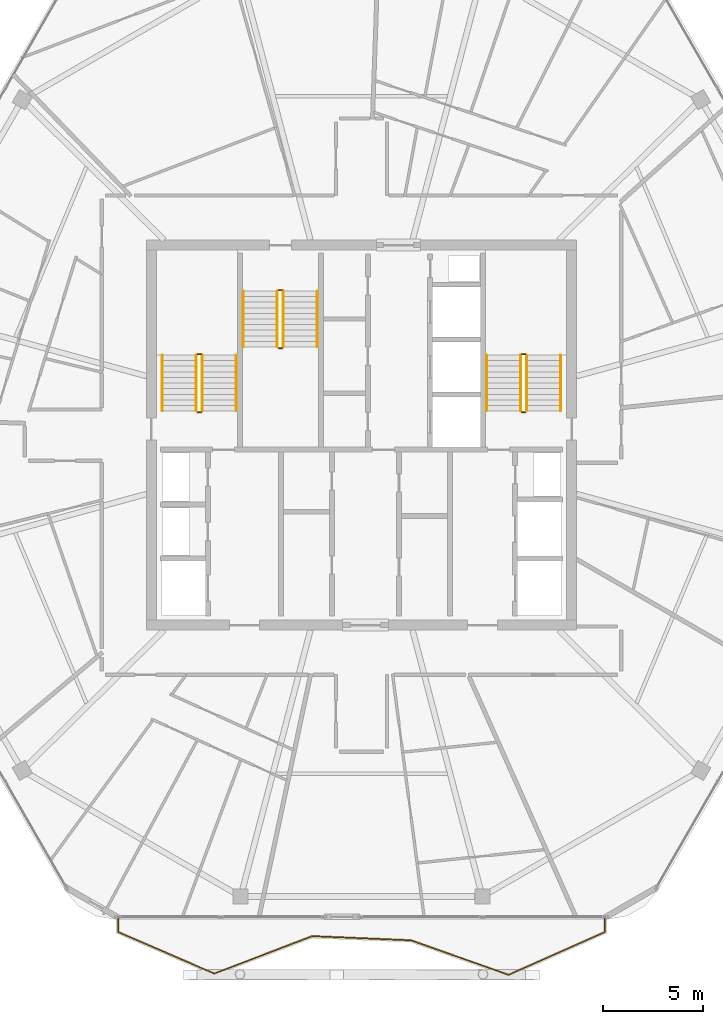
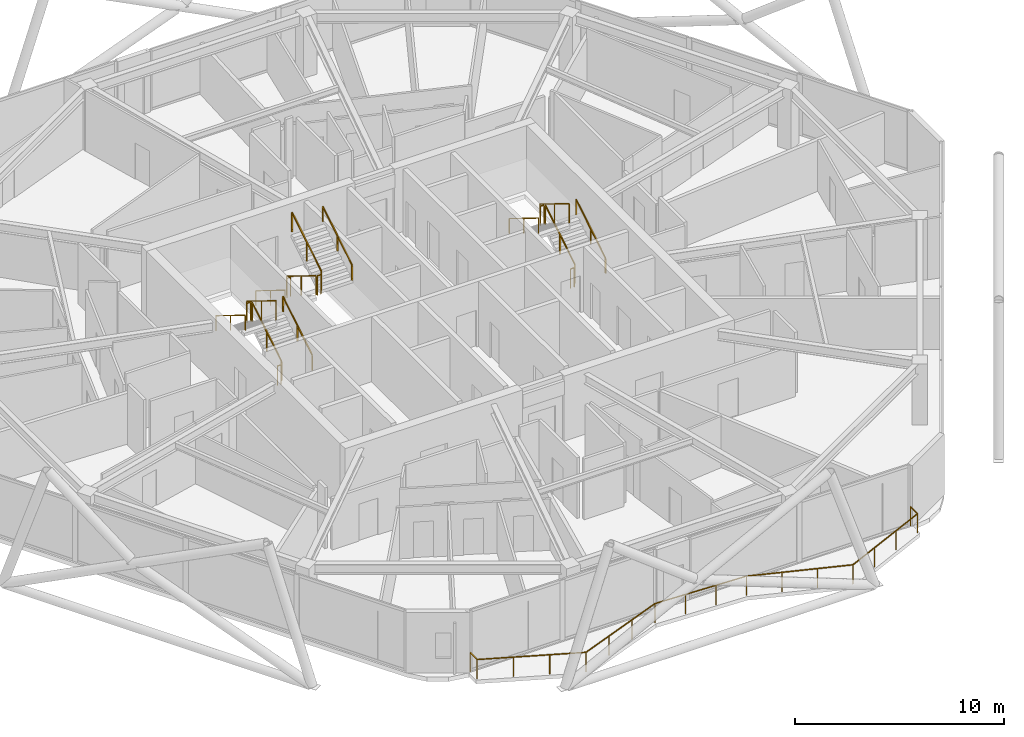
# One storey, part 22 of 23: 19 railings.
"""IFC4 building model written with IfcOpenShell, lengths in metres."""

from ifc_helpers import new_model, si_unit, direction, frame, origin, origin_2d, place, context, subcontext, project, spatial, rectangle, extrude, material, type_object, element, save


model = new_model("IFC4")

# Units and contexts
model_context = context("Model", 3, precision=1e-05, world=origin(), true_north=direction((0.0, 1.0)))
body_context = subcontext(model_context, "Body", "Model", "MODEL_VIEW")
ifc_project = project(units=[si_unit("LENGTHUNIT", "METRE"), si_unit("AREAUNIT", "SQUARE_METRE"), si_unit("VOLUMEUNIT", "CUBIC_METRE"), si_unit("PLANEANGLEUNIT", "RADIAN"), si_unit("MASSUNIT", "GRAM", prefix="KILO")], contexts=[model_context])

# Site, building, storey
site_placement = place(None, origin())
site = spatial("IfcSite", under=ifc_project, at=site_placement, CompositionType="ELEMENT")
building_placement = place(site_placement, origin())
building = spatial("IfcBuilding", under=site, at=building_placement, Name="Zuhravey Tower", CompositionType="ELEMENT")
storey_placement = place(building_placement, frame((0.0, 0.0, 346.199951171875)))
storey = spatial("IfcBuildingStorey", under=building, at=storey_placement, Name="L88", CompositionType="ELEMENT", Elevation=346.199951171875)

# Railings
ifc_material_1 = material(Name="Stainless steel 316 and laminated glass", Category="steel")
railing_type_1 = type_object("IfcRailingType", Name="Balcony & Terrace Guardrail 1150", PredefinedType="BALUSTRADE", material=ifc_material_1)
railing_1_placement = place(storey_placement, frame((48.168212890625, 7.8408203125, 0.0)))
element("IfcRailing", 1, at=railing_1_placement, inside=storey, type_object=railing_type_1, Name="L88 Face 5 Wave Balcony Guardrail GR1", PredefinedType="BALUSTRADE", context=body_context, shape_type="SweptSolid", body=[
    extrude(rectangle(XDim=0.048095703125, YDim=0.048095703125, at=origin_2d()), frame((0.0, -0.001953125, 1.1259765625), z_axis=(0.0, -1.0, 0.0), x_axis=(1.0, 0.0, 0.0)), (0.0, 0.0, 1.0), 0.671142578125),
    extrude(rectangle(XDim=0.048095703125, YDim=0.048095703125, at=origin_2d()), frame((-0.001708984375, -0.67578125, 1.1259765625), z_axis=(-0.9133657059, -0.407140132247, 0.0), x_axis=(0.407140132247, -0.9133657059, 0.0)), (0.0, 0.0, 1.0), 5.263916015625),
    extrude(rectangle(XDim=0.048095703125, YDim=0.048095703125, at=origin_2d()), frame((-4.8134765625, -2.819091796875, 1.1259765625), z_axis=(-0.942801369232, 0.333355033222, 0.0), x_axis=(-0.333355033222, -0.942801369232, 0.0)), (0.0, 0.0, 1.0), 5.176025390625),
    extrude(rectangle(XDim=0.048095703125, YDim=0.048095703125, at=origin_2d()), frame((-9.697265625, -1.093017578125, 1.1259765625), z_axis=(-0.999138452751, 0.041501231726, 0.0), x_axis=(-0.041501231726, -0.999138452751, 0.0)), (0.0, 0.0, 1.0), 4.943359375),
    extrude(rectangle(XDim=0.048095703125, YDim=0.048095703125, at=origin_2d()), frame((-14.640380859375, -0.888427734375, 1.1259765625), z_axis=(-0.933987290088, -0.357306229939, 0.0), x_axis=(0.357306229939, -0.933987290088, 0.0)), (0.0, 0.0, 1.0), 5.22998046875),
    extrude(rectangle(XDim=0.048095703125, YDim=0.048095703125, at=origin_2d()), frame((-19.52880859375, -2.757080078125, 1.1259765625), z_axis=(-0.917600934483, 0.397502861669, 0.0), x_axis=(-0.397502861669, -0.917600934483, 0.0)), (0.0, 0.0, 1.0), 5.237548828125),
    extrude(rectangle(XDim=0.048095703125, YDim=0.048095703125, at=origin_2d()), frame((-24.33642578125, -0.67236328125, 1.1259765625), z_axis=(0.0, 1.0, 0.0), x_axis=(-1.0, 0.0, 0.0)), (0.0, 0.0, 1.0), 0.67041015625),
    extrude(rectangle(XDim=0.0419921875, YDim=0.0419921875, at=origin_2d()), origin(), (0.0, 0.0, 1.0), 1.099853515625),
    extrude(rectangle(XDim=0.0419921875, YDim=0.0419921875, at=origin_2d()), frame((0.0, -0.675048828125, 0.0)), (0.0, 0.0, 1.0), 1.099853515625),
    extrude(rectangle(XDim=0.0419921875, YDim=0.0419921875, at=origin_2d()), frame((-1.603759765625, -1.389892578125, 0.0)), (0.0, 0.0, 1.0), 1.099853515625),
    extrude(rectangle(XDim=0.0419921875, YDim=0.0419921875, at=origin_2d()), frame((-3.207763671875, -2.10498046875, 0.0)), (0.0, 0.0, 1.0), 1.099853515625),
    extrude(rectangle(XDim=0.0419921875, YDim=0.0419921875, at=origin_2d()), frame((-4.8115234375, -2.81982421875, 0.0)), (0.0, 0.0, 1.0), 1.099853515625),
    extrude(rectangle(XDim=0.0419921875, YDim=0.0419921875, at=origin_2d()), frame((-6.439453125, -2.244140625, 0.0)), (0.0, 0.0, 1.0), 1.099853515625),
    extrude(rectangle(XDim=0.0419921875, YDim=0.0419921875, at=origin_2d()), frame((-8.0673828125, -1.668701171875, 0.0)), (0.0, 0.0, 1.0), 1.099853515625),
    extrude(rectangle(XDim=0.0419921875, YDim=0.0419921875, at=origin_2d()), frame((-9.6953125, -1.093017578125, 0.0)), (0.0, 0.0, 1.0), 1.099853515625),
    extrude(rectangle(XDim=0.0419921875, YDim=0.0419921875, at=origin_2d()), frame((-11.343017578125, -1.024658203125, 0.0)), (0.0, 0.0, 1.0), 1.099853515625),
    extrude(rectangle(XDim=0.0419921875, YDim=0.0419921875, at=origin_2d()), frame((-12.99072265625, -0.9560546875, 0.0)), (0.0, 0.0, 1.0), 1.099853515625),
    extrude(rectangle(XDim=0.0419921875, YDim=0.0419921875, at=origin_2d()), frame((-14.638427734375, -0.8876953125, 0.0)), (0.0, 0.0, 1.0), 1.099853515625),
    extrude(rectangle(XDim=0.0419921875, YDim=0.0419921875, at=origin_2d()), frame((-16.267822265625, -1.510986328125, 0.0)), (0.0, 0.0, 1.0), 1.099853515625),
    extrude(rectangle(XDim=0.0419921875, YDim=0.0419921875, at=origin_2d()), frame((-17.8974609375, -2.134521484375, 0.0)), (0.0, 0.0, 1.0), 1.099853515625),
    extrude(rectangle(XDim=0.0419921875, YDim=0.0419921875, at=origin_2d()), frame((-19.52685546875, -2.7578125, 0.0)), (0.0, 0.0, 1.0), 1.099853515625),
    extrude(rectangle(XDim=0.0419921875, YDim=0.0419921875, at=origin_2d()), frame((-21.130126953125, -2.063232421875, 0.0)), (0.0, 0.0, 1.0), 1.099853515625),
    extrude(rectangle(XDim=0.0419921875, YDim=0.0419921875, at=origin_2d()), frame((-22.733154296875, -1.368896484375, 0.0)), (0.0, 0.0, 1.0), 1.099853515625),
    extrude(rectangle(XDim=0.0419921875, YDim=0.0419921875, at=origin_2d()), frame((-24.33642578125, -0.67431640625, 0.0)), (0.0, 0.0, 1.0), 1.099853515625),
    extrude(rectangle(XDim=0.0419921875, YDim=0.0419921875, at=origin_2d()), frame((-24.33642578125, 0.0, 0.0)), (0.0, 0.0, 1.0), 1.099853515625),
])
ifc_material_2 = material(Name="Brushed stainless steel", Category="steel")
railing_type_2 = type_object("IfcRailingType", Name="Stair Wall Handrail 900", PredefinedType="HANDRAIL", material=ifc_material_2)
railing_2_placement = place(storey_placement, frame((29.75, 33.199951171875, 0.1728515625)))
element("IfcRailing", 2, at=railing_2_placement, inside=storey, type_object=railing_type_2, Name="L88 ST1 stair handrail 1", PredefinedType="HANDRAIL", context=body_context, shape_type="SweptSolid", body=[
    extrude(rectangle(XDim=0.048095703125, YDim=0.048095703125, at=origin_2d()), frame((0.0, 0.001708984375, 0.876953125), z_axis=(0.0, 0.851089632645, 0.525020415988), x_axis=(-1.0, 0.0, 0.0)), (0.0, 0.0, 1.0), 3.285888671875),
    extrude(rectangle(XDim=0.0419921875, YDim=0.0419921875, at=origin_2d()), origin(), (0.0, 0.0, 1.0), 0.849853515625),
    extrude(rectangle(XDim=0.0419921875, YDim=0.0419921875, at=origin_2d()), frame((0.0, 1.39990234375, 0.86376953125)), (0.0, 0.0, 1.0), 0.849853515625),
    extrude(rectangle(XDim=0.0419921875, YDim=0.0419921875, at=origin_2d()), frame((0.0, 2.800048828125, 1.727294921875)), (0.0, 0.0, 1.0), 0.849853515625),
])
railing_3_placement = place(storey_placement, frame((26.050048828125, 36.0, 2.07275390625)))
element("IfcRailing", 3, at=railing_3_placement, inside=storey, type_object=railing_type_2, Name="L88 ST1 stair handrail 2", PredefinedType="HANDRAIL", context=body_context, shape_type="SweptSolid", body=[
    extrude(rectangle(XDim=0.048095703125, YDim=0.048095703125, at=origin_2d()), frame((0.0, -0.001708984375, 0.876953125), z_axis=(0.0, -0.851089632645, 0.525020415988), x_axis=(1.0, 0.0, 0.0)), (0.0, 0.0, 1.0), 3.285888671875),
    extrude(rectangle(XDim=0.0419921875, YDim=0.0419921875, at=origin_2d()), origin(), (0.0, 0.0, 1.0), 0.849853515625),
    extrude(rectangle(XDim=0.0419921875, YDim=0.0419921875, at=origin_2d()), frame((0.0, -1.39990234375, 0.86376953125)), (0.0, 0.0, 1.0), 0.849853515625),
    extrude(rectangle(XDim=0.0419921875, YDim=0.0419921875, at=origin_2d()), frame((0.0, -2.800048828125, 1.727294921875)), (0.0, 0.0, 1.0), 0.849853515625),
])
railing_4_placement = place(storey_placement, frame((45.949951171875, 33.199951171875, 0.1728515625)))
element("IfcRailing", 4, at=railing_4_placement, inside=storey, type_object=railing_type_2, Name="L88 ST2 stair handrail 1", PredefinedType="HANDRAIL", context=body_context, shape_type="SweptSolid", body=[
    extrude(rectangle(XDim=0.048095703125, YDim=0.048095703125, at=origin_2d()), frame((0.0, 0.001708984375, 0.876953125), z_axis=(0.0, 0.851089632645, 0.525020415988), x_axis=(-1.0, 0.0, 0.0)), (0.0, 0.0, 1.0), 3.285888671875),
    extrude(rectangle(XDim=0.0419921875, YDim=0.0419921875, at=origin_2d()), origin(), (0.0, 0.0, 1.0), 0.849853515625),
    extrude(rectangle(XDim=0.0419921875, YDim=0.0419921875, at=origin_2d()), frame((0.0, 1.39990234375, 0.86376953125)), (0.0, 0.0, 1.0), 0.849853515625),
    extrude(rectangle(XDim=0.0419921875, YDim=0.0419921875, at=origin_2d()), frame((0.0, 2.800048828125, 1.727294921875)), (0.0, 0.0, 1.0), 0.849853515625),
])
for number, where, name in (
    (5, (42.25, 36.0, 2.07275390625), "L88 ST2 stair handrail 2"),
    (6, (30.10009765625, 39.199951171875, 0.1728515625), "L88 ST3 stair handrail 1"),
):
    element("IfcRailing", number, at=place(storey_placement, frame(where)), inside=storey, type_object=railing_type_2, Name=name, PredefinedType="HANDRAIL", context=body_context, shape_type="SweptSolid", body=[
        extrude(rectangle(XDim=0.048095703125, YDim=0.048095703125, at=origin_2d()), frame((0.0, -0.001708984375, 0.876953125), z_axis=(0.0, -0.851089632645, 0.525020415988), x_axis=(1.0, 0.0, 0.0)), (0.0, 0.0, 1.0), 3.285888671875),
        extrude(rectangle(XDim=0.0419921875, YDim=0.0419921875, at=origin_2d()), origin(), (0.0, 0.0, 1.0), 0.849853515625),
        extrude(rectangle(XDim=0.0419921875, YDim=0.0419921875, at=origin_2d()), frame((0.0, -1.39990234375, 0.86376953125)), (0.0, 0.0, 1.0), 0.849853515625),
        extrude(rectangle(XDim=0.0419921875, YDim=0.0419921875, at=origin_2d()), frame((0.0, -2.800048828125, 1.727294921875)), (0.0, 0.0, 1.0), 0.849853515625),
    ])
railing_5_placement = place(storey_placement, frame((33.800048828125, 36.39990234375, 2.07275390625)))
element("IfcRailing", 7, at=railing_5_placement, inside=storey, type_object=railing_type_2, Name="L88 ST3 stair handrail 2", PredefinedType="HANDRAIL", context=body_context, shape_type="SweptSolid", body=[
    extrude(rectangle(XDim=0.048095703125, YDim=0.048095703125, at=origin_2d()), frame((0.0, 0.001708984375, 0.876953125), z_axis=(0.0, 0.851089632645, 0.525020415988), x_axis=(-1.0, 0.0, 0.0)), (0.0, 0.0, 1.0), 3.285888671875),
    extrude(rectangle(XDim=0.0419921875, YDim=0.0419921875, at=origin_2d()), origin(), (0.0, 0.0, 1.0), 0.849853515625),
    extrude(rectangle(XDim=0.0419921875, YDim=0.0419921875, at=origin_2d()), frame((0.0, 1.39990234375, 0.86376953125)), (0.0, 0.0, 1.0), 0.849853515625),
    extrude(rectangle(XDim=0.0419921875, YDim=0.0419921875, at=origin_2d()), frame((0.0, 2.800048828125, 1.727294921875)), (0.0, 0.0, 1.0), 0.849853515625),
])
ifc_material_3 = material(Name="Painted tubular steel", Category="steel")
railing_type_3 = type_object("IfcRailingType", Name="Stair Well Guardrail 1150", PredefinedType="GUARDRAIL", material=ifc_material_3)
railing_6_placement = place(storey_placement, frame((28.050048828125, 33.199951171875, 0.1728515625)))
element("IfcRailing", 8, at=railing_6_placement, inside=storey, type_object=railing_type_3, Name="L88 ST1 stair guard 1", PredefinedType="GUARDRAIL", context=body_context, shape_type="SweptSolid", body=[
    extrude(rectangle(XDim=0.048095703125, YDim=0.048095703125, at=origin_2d()), frame((0.0, 0.001708984375, 1.126953125), z_axis=(0.0, 0.851089632645, 0.525020415988), x_axis=(-1.0, 0.0, 0.0)), (0.0, 0.0, 1.0), 3.285888671875),
    extrude(rectangle(XDim=0.0419921875, YDim=0.0419921875, at=origin_2d()), origin(), (0.0, 0.0, 1.0), 1.099853515625),
    extrude(rectangle(XDim=0.0419921875, YDim=0.0419921875, at=origin_2d()), frame((0.0, 1.39990234375, 0.86376953125)), (0.0, 0.0, 1.0), 1.099853515625),
    extrude(rectangle(XDim=0.0419921875, YDim=0.0419921875, at=origin_2d()), frame((0.0, 2.800048828125, 1.727294921875)), (0.0, 0.0, 1.0), 1.099853515625),
])
railing_7_placement = place(storey_placement, frame((28.0, 36.050048828125, 1.900146484375)))
element("IfcRailing", 9, at=railing_7_placement, inside=storey, type_object=railing_type_3, Name="L88 ST1 stair guard 2", PredefinedType="GUARDRAIL", context=body_context, shape_type="SweptSolid", body=[
    extrude(rectangle(XDim=0.048095703125, YDim=0.048095703125, at=origin_2d()), frame((-0.001953125, 0.0, 1.1259765625), z_axis=(-1.0, 0.0, 0.0), x_axis=(0.0, -1.0, 0.0)), (0.0, 0.0, 1.0), 0.196044921875),
    extrude(rectangle(XDim=0.0419921875, YDim=0.0419921875, at=origin_2d()), origin(), (0.0, 0.0, 1.0), 1.099853515625),
    extrude(rectangle(XDim=0.0419921875, YDim=0.0419921875, at=origin_2d()), frame((-0.199951171875, 0.0, 0.0)), (0.0, 0.0, 1.0), 1.099853515625),
])
railing_8_placement = place(storey_placement, frame((27.75, 36.0, 2.07275390625)))
element("IfcRailing", 10, at=railing_8_placement, inside=storey, type_object=railing_type_3, Name="L88 ST1 stair guard 3", PredefinedType="GUARDRAIL", context=body_context, shape_type="SweptSolid", body=[
    extrude(rectangle(XDim=0.048095703125, YDim=0.048095703125, at=origin_2d()), frame((0.0, -0.001708984375, 1.126953125), z_axis=(0.0, -0.851089632645, 0.525020415988), x_axis=(1.0, 0.0, 0.0)), (0.0, 0.0, 1.0), 3.285888671875),
    extrude(rectangle(XDim=0.0419921875, YDim=0.0419921875, at=origin_2d()), origin(), (0.0, 0.0, 1.0), 1.099853515625),
    extrude(rectangle(XDim=0.0419921875, YDim=0.0419921875, at=origin_2d()), frame((0.0, -1.39990234375, 0.86376953125)), (0.0, 0.0, 1.0), 1.099853515625),
    extrude(rectangle(XDim=0.0419921875, YDim=0.0419921875, at=origin_2d()), frame((0.0, -2.800048828125, 1.727294921875)), (0.0, 0.0, 1.0), 1.099853515625),
])
railing_9_placement = place(storey_placement, frame((28.0, 33.14990234375, 0.0)))
element("IfcRailing", 11, at=railing_9_placement, inside=storey, type_object=railing_type_3, Name="L88 ST1 stair guard 4", PredefinedType="GUARDRAIL", context=body_context, shape_type="SweptSolid", body=[
    extrude(rectangle(XDim=0.048095703125, YDim=0.048095703125, at=origin_2d()), frame((-0.001953125, 0.0, 1.1259765625), z_axis=(-1.0, 0.0, 0.0), x_axis=(0.0, -1.0, 0.0)), (0.0, 0.0, 1.0), 0.196044921875),
    extrude(rectangle(XDim=0.0419921875, YDim=0.0419921875, at=origin_2d()), origin(), (0.0, 0.0, 1.0), 1.099853515625),
    extrude(rectangle(XDim=0.0419921875, YDim=0.0419921875, at=origin_2d()), frame((-0.199951171875, 0.0, 0.0)), (0.0, 0.0, 1.0), 1.099853515625),
])
railing_10_placement = place(storey_placement, frame((44.25, 33.199951171875, 0.1728515625)))
element("IfcRailing", 12, at=railing_10_placement, inside=storey, type_object=railing_type_3, Name="L88 ST2 stair guard 1", PredefinedType="GUARDRAIL", context=body_context, shape_type="SweptSolid", body=[
    extrude(rectangle(XDim=0.048095703125, YDim=0.048095703125, at=origin_2d()), frame((0.0, 0.001708984375, 1.126953125), z_axis=(0.0, 0.851089632645, 0.525020415988), x_axis=(-1.0, 0.0, 0.0)), (0.0, 0.0, 1.0), 3.285888671875),
    extrude(rectangle(XDim=0.0419921875, YDim=0.0419921875, at=origin_2d()), origin(), (0.0, 0.0, 1.0), 1.099853515625),
    extrude(rectangle(XDim=0.0419921875, YDim=0.0419921875, at=origin_2d()), frame((0.0, 1.39990234375, 0.86376953125)), (0.0, 0.0, 1.0), 1.099853515625),
    extrude(rectangle(XDim=0.0419921875, YDim=0.0419921875, at=origin_2d()), frame((0.0, 2.800048828125, 1.727294921875)), (0.0, 0.0, 1.0), 1.099853515625),
])
railing_11_placement = place(storey_placement, frame((44.199951171875, 36.050048828125, 1.900146484375)))
element("IfcRailing", 13, at=railing_11_placement, inside=storey, type_object=railing_type_3, Name="L88 ST2 stair guard 2", PredefinedType="GUARDRAIL", context=body_context, shape_type="SweptSolid", body=[
    extrude(rectangle(XDim=0.048095703125, YDim=0.048095703125, at=origin_2d()), frame((-0.001953125, 0.0, 1.1259765625), z_axis=(-1.0, 0.0, 0.0), x_axis=(0.0, -1.0, 0.0)), (0.0, 0.0, 1.0), 0.196044921875),
    extrude(rectangle(XDim=0.0419921875, YDim=0.0419921875, at=origin_2d()), origin(), (0.0, 0.0, 1.0), 1.099853515625),
    extrude(rectangle(XDim=0.0419921875, YDim=0.0419921875, at=origin_2d()), frame((-0.199951171875, 0.0, 0.0)), (0.0, 0.0, 1.0), 1.099853515625),
])
railing_12_placement = place(storey_placement, frame((43.949951171875, 36.0, 2.07275390625)))
element("IfcRailing", 14, at=railing_12_placement, inside=storey, type_object=railing_type_3, Name="L88 ST2 stair guard 3", PredefinedType="GUARDRAIL", context=body_context, shape_type="SweptSolid", body=[
    extrude(rectangle(XDim=0.048095703125, YDim=0.048095703125, at=origin_2d()), frame((0.0, -0.001708984375, 1.126953125), z_axis=(0.0, -0.851089632645, 0.525020415988), x_axis=(1.0, 0.0, 0.0)), (0.0, 0.0, 1.0), 3.285888671875),
    extrude(rectangle(XDim=0.0419921875, YDim=0.0419921875, at=origin_2d()), origin(), (0.0, 0.0, 1.0), 1.099853515625),
    extrude(rectangle(XDim=0.0419921875, YDim=0.0419921875, at=origin_2d()), frame((0.0, -1.39990234375, 0.86376953125)), (0.0, 0.0, 1.0), 1.099853515625),
    extrude(rectangle(XDim=0.0419921875, YDim=0.0419921875, at=origin_2d()), frame((0.0, -2.800048828125, 1.727294921875)), (0.0, 0.0, 1.0), 1.099853515625),
])
railing_13_placement = place(storey_placement, frame((44.199951171875, 33.14990234375, 0.0)))
element("IfcRailing", 15, at=railing_13_placement, inside=storey, type_object=railing_type_3, Name="L88 ST2 stair guard 4", PredefinedType="GUARDRAIL", context=body_context, shape_type="SweptSolid", body=[
    extrude(rectangle(XDim=0.048095703125, YDim=0.048095703125, at=origin_2d()), frame((-0.001953125, 0.0, 1.1259765625), z_axis=(-1.0, 0.0, 0.0), x_axis=(0.0, -1.0, 0.0)), (0.0, 0.0, 1.0), 0.196044921875),
    extrude(rectangle(XDim=0.0419921875, YDim=0.0419921875, at=origin_2d()), origin(), (0.0, 0.0, 1.0), 1.099853515625),
    extrude(rectangle(XDim=0.0419921875, YDim=0.0419921875, at=origin_2d()), frame((-0.199951171875, 0.0, 0.0)), (0.0, 0.0, 1.0), 1.099853515625),
])
railing_14_placement = place(storey_placement, frame((31.800048828125, 39.199951171875, 0.1728515625)))
element("IfcRailing", 16, at=railing_14_placement, inside=storey, type_object=railing_type_3, Name="L88 ST3 stair guard 1", PredefinedType="GUARDRAIL", context=body_context, shape_type="SweptSolid", body=[
    extrude(rectangle(XDim=0.048095703125, YDim=0.048095703125, at=origin_2d()), frame((0.0, -0.001708984375, 1.126953125), z_axis=(0.0, -0.851089632645, 0.525020415988), x_axis=(1.0, 0.0, 0.0)), (0.0, 0.0, 1.0), 3.285888671875),
    extrude(rectangle(XDim=0.0419921875, YDim=0.0419921875, at=origin_2d()), origin(), (0.0, 0.0, 1.0), 1.099853515625),
    extrude(rectangle(XDim=0.0419921875, YDim=0.0419921875, at=origin_2d()), frame((0.0, -1.39990234375, 0.86376953125)), (0.0, 0.0, 1.0), 1.099853515625),
    extrude(rectangle(XDim=0.0419921875, YDim=0.0419921875, at=origin_2d()), frame((0.0, -2.800048828125, 1.727294921875)), (0.0, 0.0, 1.0), 1.099853515625),
])
railing_15_placement = place(storey_placement, frame((31.85009765625, 36.35009765625, 1.900146484375)))
element("IfcRailing", 17, at=railing_15_placement, inside=storey, type_object=railing_type_3, Name="L88 ST3 stair guard 2", PredefinedType="GUARDRAIL", context=body_context, shape_type="SweptSolid", body=[
    extrude(rectangle(XDim=0.048095703125, YDim=0.048095703125, at=origin_2d()), frame((0.001953125, 0.0, 1.1259765625), z_axis=(1.0, 0.0, 0.0), x_axis=(0.0, 1.0, 0.0)), (0.0, 0.0, 1.0), 0.196044921875),
    extrude(rectangle(XDim=0.0419921875, YDim=0.0419921875, at=origin_2d()), origin(), (0.0, 0.0, 1.0), 1.099853515625),
    extrude(rectangle(XDim=0.0419921875, YDim=0.0419921875, at=origin_2d()), frame((0.199951171875, 0.0, 0.0)), (0.0, 0.0, 1.0), 1.099853515625),
])
railing_16_placement = place(storey_placement, frame((32.10009765625, 36.39990234375, 2.07275390625)))
element("IfcRailing", 18, at=railing_16_placement, inside=storey, type_object=railing_type_3, Name="L88 ST3 stair guard 3", PredefinedType="GUARDRAIL", context=body_context, shape_type="SweptSolid", body=[
    extrude(rectangle(XDim=0.048095703125, YDim=0.048095703125, at=origin_2d()), frame((0.0, 0.001708984375, 1.126953125), z_axis=(0.0, 0.851089632645, 0.525020415988), x_axis=(-1.0, 0.0, 0.0)), (0.0, 0.0, 1.0), 3.285888671875),
    extrude(rectangle(XDim=0.0419921875, YDim=0.0419921875, at=origin_2d()), origin(), (0.0, 0.0, 1.0), 1.099853515625),
    extrude(rectangle(XDim=0.0419921875, YDim=0.0419921875, at=origin_2d()), frame((0.0, 1.39990234375, 0.86376953125)), (0.0, 0.0, 1.0), 1.099853515625),
    extrude(rectangle(XDim=0.0419921875, YDim=0.0419921875, at=origin_2d()), frame((0.0, 2.800048828125, 1.727294921875)), (0.0, 0.0, 1.0), 1.099853515625),
])
railing_17_placement = place(storey_placement, frame((31.85009765625, 39.25, 0.0)))
element("IfcRailing", 19, at=railing_17_placement, inside=storey, type_object=railing_type_3, Name="L88 ST3 stair guard 4", PredefinedType="GUARDRAIL", context=body_context, shape_type="SweptSolid", body=[
    extrude(rectangle(XDim=0.048095703125, YDim=0.048095703125, at=origin_2d()), frame((0.001953125, 0.0, 1.1259765625), z_axis=(1.0, 0.0, 0.0), x_axis=(0.0, 1.0, 0.0)), (0.0, 0.0, 1.0), 0.196044921875),
    extrude(rectangle(XDim=0.0419921875, YDim=0.0419921875, at=origin_2d()), origin(), (0.0, 0.0, 1.0), 1.099853515625),
    extrude(rectangle(XDim=0.0419921875, YDim=0.0419921875, at=origin_2d()), frame((0.199951171875, 0.0, 0.0)), (0.0, 0.0, 1.0), 1.099853515625),
])

save(model, "model.ifc")
